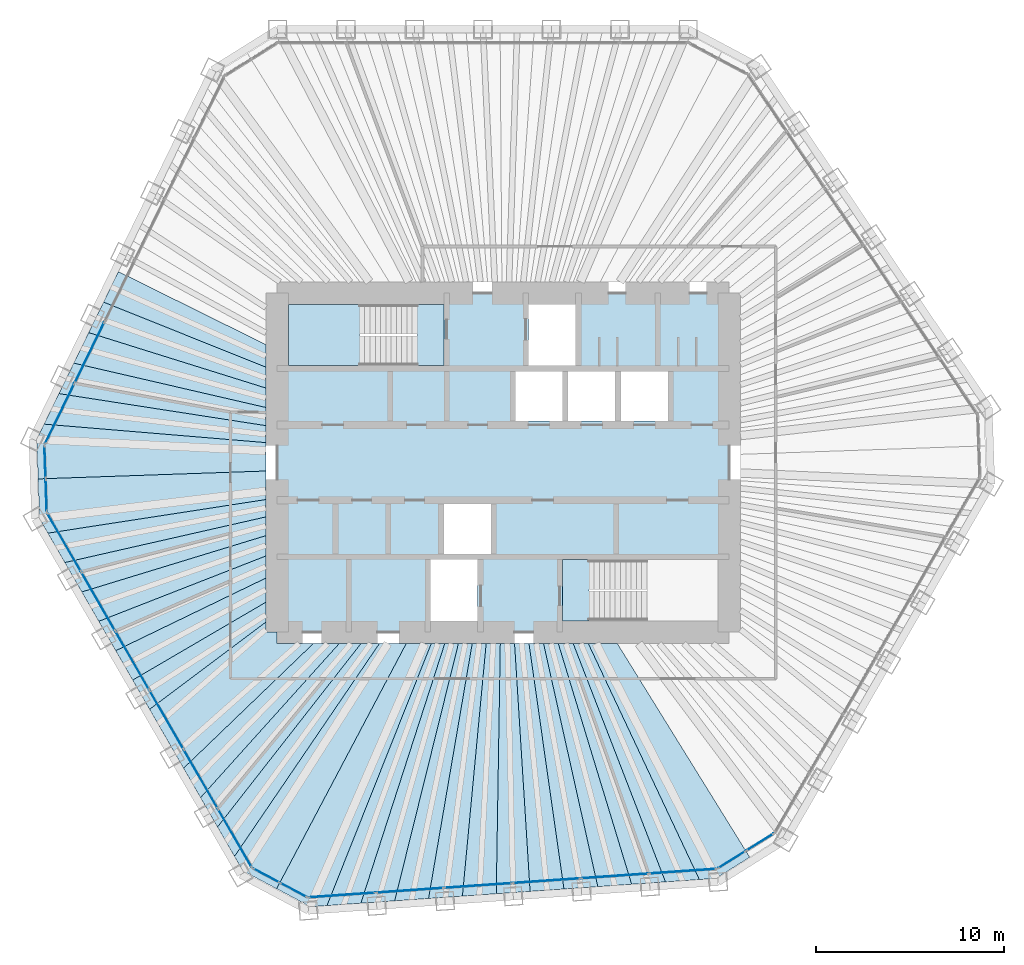
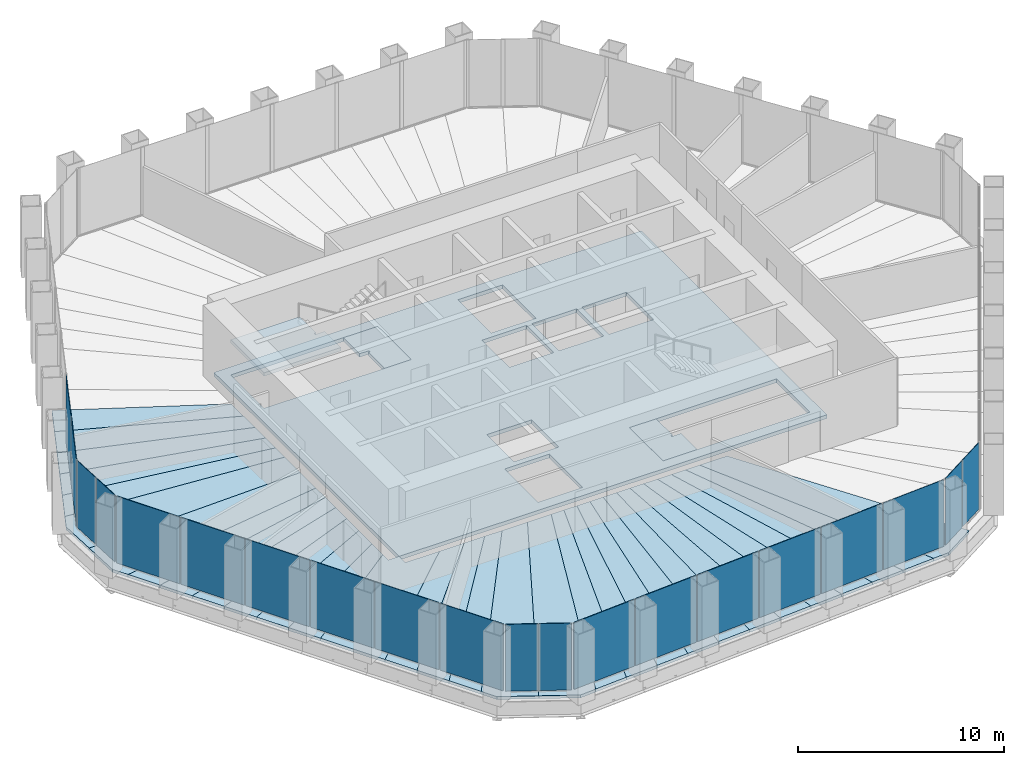
# One storey, part 8 of 13: 35 slabs, 20 plates, 8 elements without a shape of their own.
"""IFC4 building model written with IfcOpenShell, lengths in metres."""

from ifc_helpers import new_model, si_unit, direction, frame, origin, origin_2d, place, context, subcontext, project, spatial, polyline, rectangle, outline, extrude, material, layer, layer_set, type_object, element, aggregate, save


model = new_model("IFC4")

# Units and contexts
model_context = context("Model", 3, precision=1e-05, world=origin(), true_north=direction((0.0, 1.0)))
body_context = subcontext(model_context, "Body", "Model", "MODEL_VIEW")
ifc_project = project(units=[si_unit("LENGTHUNIT", "METRE"), si_unit("AREAUNIT", "SQUARE_METRE"), si_unit("VOLUMEUNIT", "CUBIC_METRE"), si_unit("PLANEANGLEUNIT", "RADIAN"), si_unit("MASSUNIT", "GRAM", prefix="KILO")], contexts=[model_context])

# Site, building, storey
site_placement = place(None, origin())
site = spatial("IfcSite", under=ifc_project, at=site_placement, CompositionType="ELEMENT")
building_placement = place(site_placement, origin())
building = spatial("IfcBuilding", under=site, at=building_placement, Name="Qingtian Harvest Tower", CompositionType="ELEMENT")
storey_placement = place(building_placement, frame((0.0, 0.0, 247.60009765625)))
storey = spatial("IfcBuildingStorey", under=building, at=storey_placement, Name="L54", CompositionType="ELEMENT", Elevation=247.60009765625)

# Slabs
ifc_material_1 = material(Name="Concrete fc' 35 MPa", Category="concrete")
ifc_layer_1 = layer(ifc_material_1, 0.169921875)
ifc_layer_set_1 = layer_set([ifc_layer_1], Name="Composite floor slab FS17 170")
slab_type_1 = type_object("IfcSlabType", Name="Composite floor slab FS17 170", PredefinedType="FLOOR", material=ifc_layer_set_1)
slab_1_placement = place(storey_placement, frame((0.0, 0.0, -0.170166015625)))
element("IfcSlab", 1, at=slab_1_placement, inside=storey, type_object=slab_type_1, Name="Floor slab L54 panel D01", PredefinedType="FLOOR", context=body_context, shape_type="SweptSolid", body=[
    extrude(outline(polyline([(-24.6865234375, -0.862060546875), (-12.60009765625, -0.443115234375), (-12.60009765625, -1.958984375), (-24.17236328125, -3.742431640625), (-24.612548828125, -2.979736328125), (-24.6865234375, -0.862060546875)])), origin(), (0.0, 0.0, 1.0), 0.170166015625),
])
slab_2_placement = place(storey_placement, frame((0.0, 0.0, -0.170166015625)))
element("IfcSlab", 2, at=slab_2_placement, inside=storey, type_object=slab_type_1, Name="Floor slab L54 panel D02", PredefinedType="FLOOR", context=body_context, shape_type="SweptSolid", body=[
    extrude(outline(polyline([(-12.60009765625, -2.880126953125), (-23.271484375, -5.302490234375), (-24.17236328125, -3.742431640625), (-12.60009765625, -1.958984375), (-12.60009765625, -2.880126953125)])), origin(), (0.0, 0.0, 1.0), 0.170166015625),
])
slab_3_placement = place(storey_placement, frame((0.0, 0.0, -0.170166015625)))
element("IfcSlab", 3, at=slab_3_placement, inside=storey, type_object=slab_type_1, Name="Floor slab L54 panel D03", PredefinedType="FLOOR", context=body_context, shape_type="SweptSolid", body=[
    extrude(outline(polyline([(-12.60009765625, -3.87548828125), (-22.370849609375, -6.862548828125), (-23.271484375, -5.302490234375), (-12.60009765625, -2.880126953125), (-12.60009765625, -3.87548828125)])), origin(), (0.0, 0.0, 1.0), 0.170166015625),
])
slab_4_placement = place(storey_placement, frame((0.0, 0.0, -0.170166015625)))
element("IfcSlab", 4, at=slab_4_placement, inside=storey, type_object=slab_type_1, Name="Floor slab L54 panel D04", PredefinedType="FLOOR", context=body_context, shape_type="SweptSolid", body=[
    extrude(outline(polyline([(-12.60009765625, -4.95458984375), (-21.47021484375, -8.422607421875), (-22.370849609375, -6.862548828125), (-12.60009765625, -3.87548828125), (-12.60009765625, -4.95458984375)])), origin(), (0.0, 0.0, 1.0), 0.170166015625),
])
slab_5_placement = place(storey_placement, frame((0.0, 0.0, -0.170166015625)))
element("IfcSlab", 5, at=slab_5_placement, inside=storey, type_object=slab_type_1, Name="Floor slab L54 panel D05", PredefinedType="FLOOR", context=body_context, shape_type="SweptSolid", body=[
    extrude(outline(polyline([(-12.60009765625, -6.128173828125), (-20.569580078125, -9.982666015625), (-21.47021484375, -8.422607421875), (-12.60009765625, -4.95458984375), (-12.60009765625, -6.128173828125)])), origin(), (0.0, 0.0, 1.0), 0.170166015625),
])
slab_6_placement = place(storey_placement, frame((0.0, 0.0, -0.170166015625)))
element("IfcSlab", 6, at=slab_6_placement, inside=storey, type_object=slab_type_1, Name="Floor slab L54 panel D06", PredefinedType="FLOOR", context=body_context, shape_type="SweptSolid", body=[
    extrude(outline(polyline([(-12.60009765625, -7.409423828125), (-19.668701171875, -11.542724609375), (-20.569580078125, -9.982666015625), (-12.60009765625, -6.128173828125), (-12.60009765625, -7.409423828125)])), origin(), (0.0, 0.0, 1.0), 0.170166015625),
])
slab_7_placement = place(storey_placement, frame((0.0, 0.0, -0.170166015625)))
element("IfcSlab", 7, at=slab_7_placement, inside=storey, type_object=slab_type_1, Name="Floor slab L54 panel D07", PredefinedType="FLOOR", context=body_context, shape_type="SweptSolid", body=[
    extrude(outline(polyline([(-12.60009765625, -8.46435546875), (-18.771728515625, -13.0966796875), (-19.668701171875, -11.542724609375), (-12.60009765625, -7.409423828125), (-12.60009765625, -8.46435546875)])), origin(), (0.0, 0.0, 1.0), 0.170166015625),
])
slab_8_placement = place(storey_placement, frame((0.0, 0.0, -0.170166015625)))
element("IfcSlab", 8, at=slab_8_placement, inside=storey, type_object=slab_type_1, Name="Floor slab L54 panel D09", PredefinedType="FLOOR", context=body_context, shape_type="SweptSolid", body=[
    extrude(outline(polyline([(-16.967041015625, -16.22216796875), (-18.771728515625, -13.0966796875), (-12.60009765625, -8.46435546875), (-12.60009765625, -9.0), (-12.0, -9.0), (-12.0, -9.60009765625), (-10.07666015625, -9.60009765625), (-16.967041015625, -16.22216796875)])), origin(), (0.0, 0.0, 1.0), 0.170166015625),
])
slab_9_placement = place(storey_placement, frame((0.0, 0.0, -0.170166015625)))
element("IfcSlab", 9, at=slab_9_placement, inside=storey, type_object=slab_type_1, Name="Floor slab L54 panel D10", PredefinedType="FLOOR", context=body_context, shape_type="SweptSolid", body=[
    extrude(outline(polyline([(-8.700927734375, -9.60009765625), (-16.06640625, -17.7822265625), (-16.967041015625, -16.22216796875), (-10.07666015625, -9.60009765625), (-8.700927734375, -9.60009765625)])), origin(), (0.0, 0.0, 1.0), 0.170166015625),
])
slab_10_placement = place(storey_placement, frame((0.0, 0.0, -0.170166015625)))
element("IfcSlab", 10, at=slab_10_placement, inside=storey, type_object=slab_type_1, Name="Floor slab L54 panel D11", PredefinedType="FLOOR", context=body_context, shape_type="SweptSolid", body=[
    extrude(outline(polyline([(-7.548095703125, -9.60009765625), (-15.16552734375, -19.34228515625), (-16.06640625, -17.7822265625), (-8.700927734375, -9.60009765625), (-7.548095703125, -9.60009765625)])), origin(), (0.0, 0.0, 1.0), 0.170166015625),
])
slab_11_placement = place(storey_placement, frame((0.0, 0.0, -0.170166015625)))
element("IfcSlab", 11, at=slab_11_placement, inside=storey, type_object=slab_type_1, Name="Floor slab L54 panel D12", PredefinedType="FLOOR", context=body_context, shape_type="SweptSolid", body=[
    extrude(outline(polyline([(-6.568359375, -9.60009765625), (-14.264892578125, -20.90234375), (-15.16552734375, -19.34228515625), (-7.548095703125, -9.60009765625), (-6.568359375, -9.60009765625)])), origin(), (0.0, 0.0, 1.0), 0.170166015625),
])
slab_12_placement = place(storey_placement, frame((0.0, 0.0, -0.170166015625)))
element("IfcSlab", 12, at=slab_12_placement, inside=storey, type_object=slab_type_1, Name="Floor slab L54 panel D13", PredefinedType="FLOOR", context=body_context, shape_type="SweptSolid", body=[
    extrude(outline(polyline([(-6.568359375, -9.60009765625), (-5.14501953125, -9.60009765625), (-12.028076171875, -22.620361328125), (-13.82470703125, -21.6650390625), (-14.264892578125, -20.90234375), (-6.568359375, -9.60009765625)])), origin(), (0.0, 0.0, 1.0), 0.170166015625),
])
slab_13_placement = place(storey_placement, frame((0.0, 0.0, -0.170166015625)))
element("IfcSlab", 13, at=slab_13_placement, inside=storey, type_object=slab_type_1, Name="Floor slab L54 panel D14", PredefinedType="FLOOR", context=body_context, shape_type="SweptSolid", body=[
    extrude(outline(polyline([(-5.14501953125, -9.60009765625), (-3.817138671875, -9.60009765625), (-9.352294921875, -23.5146484375), (-10.23046875, -23.576171875), (-12.028076171875, -22.620361328125), (-5.14501953125, -9.60009765625)])), origin(), (0.0, 0.0, 1.0), 0.170166015625),
])
slab_14_placement = place(storey_placement, frame((0.0, 0.0, -0.170166015625)))
element("IfcSlab", 14, at=slab_14_placement, inside=storey, type_object=slab_type_1, Name="Floor slab L54 panel D15", PredefinedType="FLOOR", context=body_context, shape_type="SweptSolid", body=[
    extrude(outline(polyline([(-3.10009765625, -9.60009765625), (-7.55517578125, -23.388916015625), (-9.352294921875, -23.5146484375), (-3.817138671875, -9.60009765625), (-3.10009765625, -9.60009765625)])), origin(), (0.0, 0.0, 1.0), 0.170166015625),
])
slab_15_placement = place(storey_placement, frame((0.0, 0.0, -0.170166015625)))
element("IfcSlab", 15, at=slab_15_placement, inside=storey, type_object=slab_type_1, Name="Floor slab L54 panel D16", PredefinedType="FLOOR", context=body_context, shape_type="SweptSolid", body=[
    extrude(outline(polyline([(-2.375244140625, -9.60009765625), (-5.75830078125, -23.263427734375), (-7.55517578125, -23.388916015625), (-3.10009765625, -9.60009765625), (-2.375244140625, -9.60009765625)])), origin(), (0.0, 0.0, 1.0), 0.170166015625),
])
slab_16_placement = place(storey_placement, frame((0.0, 0.0, -0.170166015625)))
element("IfcSlab", 16, at=slab_16_placement, inside=storey, type_object=slab_type_1, Name="Floor slab L54 panel D17", PredefinedType="FLOOR", context=body_context, shape_type="SweptSolid", body=[
    extrude(outline(polyline([(-1.642578125, -9.60009765625), (-3.96142578125, -23.1376953125), (-5.75830078125, -23.263427734375), (-2.375244140625, -9.60009765625), (-1.642578125, -9.60009765625)])), origin(), (0.0, 0.0, 1.0), 0.170166015625),
])
slab_17_placement = place(storey_placement, frame((0.0, 0.0, -0.170166015625)))
element("IfcSlab", 17, at=slab_17_placement, inside=storey, type_object=slab_type_1, Name="Floor slab L54 panel D18", PredefinedType="FLOOR", context=body_context, shape_type="SweptSolid", body=[
    extrude(outline(polyline([(-0.90185546875, -9.60009765625), (-2.164306640625, -23.011962890625), (-3.96142578125, -23.1376953125), (-1.642578125, -9.60009765625), (-0.90185546875, -9.60009765625)])), origin(), (0.0, 0.0, 1.0), 0.170166015625),
])
slab_18_placement = place(storey_placement, frame((0.0, 0.0, -0.170166015625)))
element("IfcSlab", 18, at=slab_18_placement, inside=storey, type_object=slab_type_1, Name="Floor slab L54 panel D19", PredefinedType="FLOOR", context=body_context, shape_type="SweptSolid", body=[
    extrude(outline(polyline([(-0.153076171875, -9.60009765625), (-0.367431640625, -22.886474609375), (-2.164306640625, -23.011962890625), (-0.90185546875, -9.60009765625), (-0.153076171875, -9.60009765625)])), origin(), (0.0, 0.0, 1.0), 0.170166015625),
])
slab_19_placement = place(storey_placement, frame((0.0, 0.0, -0.170166015625)))
element("IfcSlab", 19, at=slab_19_placement, inside=storey, type_object=slab_type_1, Name="Floor slab L54 panel D20", PredefinedType="FLOOR", context=body_context, shape_type="SweptSolid", body=[
    extrude(outline(polyline([(0.60400390625, -9.60009765625), (1.4296875, -22.7607421875), (-0.367431640625, -22.886474609375), (-0.153076171875, -9.60009765625), (0.60400390625, -9.60009765625)])), origin(), (0.0, 0.0, 1.0), 0.170166015625),
])
slab_20_placement = place(storey_placement, frame((0.0, 0.0, -0.170166015625)))
element("IfcSlab", 20, at=slab_20_placement, inside=storey, type_object=slab_type_1, Name="Floor slab L54 panel D21", PredefinedType="FLOOR", context=body_context, shape_type="SweptSolid", body=[
    extrude(outline(polyline([(1.36962890625, -9.60009765625), (3.2265625, -22.635009765625), (1.4296875, -22.7607421875), (0.60400390625, -9.60009765625), (1.36962890625, -9.60009765625)])), origin(), (0.0, 0.0, 1.0), 0.170166015625),
])
slab_21_placement = place(storey_placement, frame((0.0, 0.0, -0.170166015625)))
element("IfcSlab", 21, at=slab_21_placement, inside=storey, type_object=slab_type_1, Name="Floor slab L54 panel D22", PredefinedType="FLOOR", context=body_context, shape_type="SweptSolid", body=[
    extrude(outline(polyline([(2.1435546875, -9.60009765625), (5.023681640625, -22.509521484375), (3.2265625, -22.635009765625), (1.36962890625, -9.60009765625), (2.1435546875, -9.60009765625)])), origin(), (0.0, 0.0, 1.0), 0.170166015625),
])
slab_22_placement = place(storey_placement, frame((0.0, 0.0, -0.170166015625)))
element("IfcSlab", 22, at=slab_22_placement, inside=storey, type_object=slab_type_1, Name="Floor slab L54 panel D23", PredefinedType="FLOOR", context=body_context, shape_type="SweptSolid", body=[
    extrude(outline(polyline([(2.92626953125, -9.60009765625), (6.820556640625, -22.3837890625), (5.023681640625, -22.509521484375), (2.1435546875, -9.60009765625), (2.92626953125, -9.60009765625)])), origin(), (0.0, 0.0, 1.0), 0.170166015625),
])
slab_23_placement = place(storey_placement, frame((0.0, 0.0, -0.170166015625)))
element("IfcSlab", 23, at=slab_23_placement, inside=storey, type_object=slab_type_1, Name="Floor slab L54 panel D24", PredefinedType="FLOOR", context=body_context, shape_type="SweptSolid", body=[
    extrude(outline(polyline([(3.718017578125, -9.60009765625), (8.61767578125, -22.258056640625), (6.820556640625, -22.3837890625), (2.92626953125, -9.60009765625), (3.718017578125, -9.60009765625)])), origin(), (0.0, 0.0, 1.0), 0.170166015625),
])
slab_24_placement = place(storey_placement, frame((0.0, 0.0, -0.170166015625)))
element("IfcSlab", 24, at=slab_24_placement, inside=storey, type_object=slab_type_1, Name="Floor slab L54 panel D25", PredefinedType="FLOOR", context=body_context, shape_type="SweptSolid", body=[
    extrude(outline(polyline([(4.5185546875, -9.60009765625), (10.41455078125, -22.13232421875), (8.61767578125, -22.258056640625), (3.718017578125, -9.60009765625), (4.5185546875, -9.60009765625)])), origin(), (0.0, 0.0, 1.0), 0.170166015625),
])
slab_25_placement = place(storey_placement, frame((0.0, 0.0, -0.170166015625)))
element("IfcSlab", 25, at=slab_25_placement, inside=storey, type_object=slab_type_1, Name="Floor slab L54 panel D26", PredefinedType="FLOOR", context=body_context, shape_type="SweptSolid", body=[
    extrude(outline(polyline([(4.5185546875, -9.60009765625), (6.059326171875, -9.60009765625), (13.090576171875, -20.94775390625), (11.292724609375, -22.071044921875), (10.41455078125, -22.13232421875), (4.5185546875, -9.60009765625)])), origin(), (0.0, 0.0, 1.0), 0.170166015625),
])
slab_26_placement = place(storey_placement, frame((0.0, 0.0, -0.170166015625)))
element("IfcSlab", 26, at=slab_26_placement, inside=storey, type_object=slab_type_1, Name="Floor slab L54 panel D73", PredefinedType="FLOOR", context=body_context, shape_type="SweptSolid", body=[
    extrude(outline(polyline([(-12.60009765625, 5.072509765625), (-21.2158203125, 8.5234375), (-20.426025390625, 10.142578125), (-12.60009765625, 6.268310546875), (-12.60009765625, 5.072509765625)])), origin(), (0.0, 0.0, 1.0), 0.170166015625),
])
slab_27_placement = place(storey_placement, frame((0.0, 0.0, -0.170166015625)))
element("IfcSlab", 27, at=slab_27_placement, inside=storey, type_object=slab_type_1, Name="Floor slab L54 panel D74", PredefinedType="FLOOR", context=body_context, shape_type="SweptSolid", body=[
    extrude(outline(polyline([(-12.60009765625, 3.962890625), (-22.00537109375, 6.904296875), (-21.2158203125, 8.5234375), (-12.60009765625, 5.072509765625), (-12.60009765625, 3.962890625)])), origin(), (0.0, 0.0, 1.0), 0.170166015625),
])
slab_28_placement = place(storey_placement, frame((0.0, 0.0, -0.170166015625)))
element("IfcSlab", 28, at=slab_28_placement, inside=storey, type_object=slab_type_1, Name="Floor slab L54 panel D75", PredefinedType="FLOOR", context=body_context, shape_type="SweptSolid", body=[
    extrude(outline(polyline([(-12.60009765625, 2.929931640625), (-22.795166015625, 5.28515625), (-22.00537109375, 6.904296875), (-12.60009765625, 3.962890625), (-12.60009765625, 2.929931640625)])), origin(), (0.0, 0.0, 1.0), 0.170166015625),
])
slab_29_placement = place(storey_placement, frame((0.0, 0.0, -0.170166015625)))
element("IfcSlab", 29, at=slab_29_placement, inside=storey, type_object=slab_type_1, Name="Floor slab L54 panel D76", PredefinedType="FLOOR", context=body_context, shape_type="SweptSolid", body=[
    extrude(outline(polyline([(-12.60009765625, 1.96630859375), (-23.584716796875, 3.666259765625), (-22.795166015625, 5.28515625), (-12.60009765625, 2.929931640625), (-12.60009765625, 1.96630859375)])), origin(), (0.0, 0.0, 1.0), 0.170166015625),
])
slab_30_placement = place(storey_placement, frame((0.0, 0.0, -0.170166015625)))
element("IfcSlab", 30, at=slab_30_placement, inside=storey, type_object=slab_type_1, Name="Floor slab L54 panel D77", PredefinedType="FLOOR", context=body_context, shape_type="SweptSolid", body=[
    extrude(outline(polyline([(-12.60009765625, 1.065185546875), (-24.37451171875, 2.047119140625), (-23.584716796875, 3.666259765625), (-12.60009765625, 1.96630859375), (-12.60009765625, 1.065185546875)])), origin(), (0.0, 0.0, 1.0), 0.170166015625),
])
slab_31_placement = place(storey_placement, frame((0.0, 0.0, -0.170166015625)))
element("IfcSlab", 31, at=slab_31_placement, inside=storey, type_object=slab_type_1, Name="Floor slab L54 panel D78", PredefinedType="FLOOR", context=body_context, shape_type="SweptSolid", body=[
    extrude(outline(polyline([(-12.60009765625, 1.065185546875), (-12.60009765625, -0.443115234375), (-24.6865234375, -0.862060546875), (-24.760498046875, 1.255615234375), (-24.37451171875, 2.047119140625), (-12.60009765625, 1.065185546875)])), origin(), (0.0, 0.0, 1.0), 0.170166015625),
])
ifc_material_2 = material(Name="Concrete fc' 35 MPa", Category="concrete")
ifc_layer_2 = layer(ifc_material_2, 0.219970703125)
ifc_layer_set_2 = layer_set([ifc_layer_2], Name="Core floor slab CS22 220")
slab_type_2 = type_object("IfcSlabType", Name="Core floor slab CS22 220", PredefinedType="FLOOR", material=ifc_layer_set_2)
slab_32_placement = place(storey_placement, frame((0.0, 0.0, -0.22021484375)))
element("IfcSlab", 32, at=slab_32_placement, inside=storey, type_object=slab_type_2, Name="Core floor slab L54", PredefinedType="FLOOR", context=body_context, shape_type="SweptSolid", body=[
    extrude(outline(polyline([(-12.0, -9.0), (12.0, -9.0), (12.0, 9.0), (-12.0, 9.0), (-12.0, -9.0)]), holes=[polyline([(-11.39990234375, 5.14990234375), (-3.14990234375, 5.14990234375), (-3.14990234375, 8.39990234375), (-11.39990234375, 8.39990234375), (-11.39990234375, 5.14990234375)]), polyline([(3.14990234375, -8.39990234375), (11.39990234375, -8.39990234375), (11.39990234375, -5.14990234375), (3.14990234375, -5.14990234375), (3.14990234375, -8.39990234375)]), polyline([(1.35009765625, 5.14990234375), (3.85009765625, 5.14990234375), (3.85009765625, 8.39990234375), (1.35009765625, 8.39990234375), (1.35009765625, 5.14990234375)]), polyline([(-3.85009765625, -8.39990234375), (-1.35009765625, -8.39990234375), (-1.35009765625, -5.14990234375), (-3.85009765625, -5.14990234375), (-3.85009765625, -8.39990234375)]), polyline([(0.64990234375, 2.199951171875), (3.14990234375, 2.199951171875), (3.14990234375, 4.85009765625), (0.64990234375, 4.85009765625), (0.64990234375, 2.199951171875)]), polyline([(3.449951171875, 2.199951171875), (5.949951171875, 2.199951171875), (5.949951171875, 4.85009765625), (3.449951171875, 4.85009765625), (3.449951171875, 2.199951171875)]), polyline([(6.25, 2.199951171875), (8.75, 2.199951171875), (8.75, 4.85009765625), (6.25, 4.85009765625), (6.25, 2.199951171875)]), polyline([(-3.14990234375, -4.85009765625), (-0.64990234375, -4.85009765625), (-0.64990234375, -2.199951171875), (-3.14990234375, -2.199951171875), (-3.14990234375, -4.85009765625)])]), origin(), (0.0, 0.0, 1.0), 0.22021484375),
])

# Curtain wall, plates
ifc_material_3 = material(Name="Bronze-anodised aluminium curtain wall", Category="aluminium")
curtain_wall_type = type_object("IfcCurtainWallType", Name="Curtain wall CW4 office", PredefinedType="USERDEFINED", material=ifc_material_3)
curtain_wall_1_placement = place(storey_placement, origin())
curtain_wall_1 = element("IfcCurtainWall", 33, at=curtain_wall_1_placement, inside=storey, type_object=curtain_wall_type, Name="Curtain wall CW4 L54 SEC", ObjectType="RECESSED CURTAIN WALL", PredefinedType="USERDEFINED")
ifc_material_4 = material(Name="Bronze-tinted laminated insulating glass", Category="glass")
ifc_layer_3 = layer(ifc_material_4, 0.030029296875)
ifc_layer_set_3 = layer_set([ifc_layer_3], Name="Glazed panel CWP tinted IGU")
plate_type = type_object("IfcPlateType", Name="Glazed panel CWP tinted IGU", PredefinedType="CURTAIN_PANEL", material=ifc_layer_set_3)
plate_1_placement = place(storey_placement, frame((13.624755859375, -20.1455078125, 0.06494140625), z_axis=(0.0, 0.0, 1.0), x_axis=(-0.848048096156, -0.529919264233, 0.0)))
plate_1 = element("IfcPlate", 34, at=plate_1_placement, type_object=plate_type, Name="CW4 panel 1.1", PredefinedType="CURTAIN_PANEL", context=body_context, shape_type="SweptSolid", body=[
    extrude(rectangle(XDim=1.69287109375, YDim=0.030029296875, at=origin_2d()), origin(), (0.0, 0.0, 1.0), 3.965087890625),
])
plate_2_placement = place(storey_placement, frame((12.134033203125, -21.076904296875, 0.06494140625), z_axis=(0.0, 0.0, 1.0), x_axis=(-0.848048096156, -0.529919264233, 0.0)))
plate_2 = element("IfcPlate", 35, at=plate_2_placement, type_object=plate_type, Name="CW4 panel 2.1", PredefinedType="CURTAIN_PANEL", context=body_context, shape_type="SweptSolid", body=[
    extrude(rectangle(XDim=1.69287109375, YDim=0.030029296875, at=origin_2d()), origin(), (0.0, 0.0, 1.0), 3.965087890625),
])
aggregate(curtain_wall_1, [plate_1, plate_2])

curtain_wall_2_placement = place(storey_placement, origin())
curtain_wall_2 = element("IfcCurtainWall", 36, at=curtain_wall_2_placement, inside=storey, type_object=curtain_wall_type, Name="Curtain wall CW4 L54 S0-5", ObjectType="RECESSED CURTAIN WALL", PredefinedType="USERDEFINED")
plate_3_placement = place(storey_placement, frame((9.532470703125, -21.68798828125, 0.06494140625), z_axis=(0.0, 0.0, 1.0), x_axis=(-0.99756405026, -0.069756473744, 0.0)))
plate_3 = element("IfcPlate", 37, at=plate_3_placement, type_object=plate_type, Name="CW4 panel 1.1", PredefinedType="CURTAIN_PANEL", context=body_context, shape_type="SweptSolid", body=[
    extrude(rectangle(XDim=3.5361328125, YDim=0.030029296875, at=origin_2d()), origin(), (0.0, 0.0, 1.0), 3.965087890625),
])
plate_4_placement = place(storey_placement, frame((5.923828125, -21.940185546875, 0.06494140625), z_axis=(0.0, 0.0, 1.0), x_axis=(-0.99756405026, -0.069756473744, 0.0)))
plate_4 = element("IfcPlate", 38, at=plate_4_placement, type_object=plate_type, Name="CW4 panel 2.1", PredefinedType="CURTAIN_PANEL", context=body_context, shape_type="SweptSolid", body=[
    extrude(rectangle(XDim=3.568603515625, YDim=0.030029296875, at=origin_2d()), origin(), (0.0, 0.0, 1.0), 3.965087890625),
])
plate_5_placement = place(storey_placement, frame((2.299072265625, -22.193603515625, 0.06494140625), z_axis=(0.0, 0.0, 1.0), x_axis=(-0.99756405026, -0.069756473744, 0.0)))
plate_5 = element("IfcPlate", 39, at=plate_5_placement, type_object=plate_type, Name="CW4 panel 3.1", PredefinedType="CURTAIN_PANEL", context=body_context, shape_type="SweptSolid", body=[
    extrude(rectangle(XDim=3.568603515625, YDim=0.030029296875, at=origin_2d()), origin(), (0.0, 0.0, 1.0), 3.965087890625),
])
plate_6_placement = place(storey_placement, frame((-1.325439453125, -22.447021484375, 0.06494140625), z_axis=(0.0, 0.0, 1.0), x_axis=(-0.99756405026, -0.069756473744, 0.0)))
plate_6 = element("IfcPlate", 40, at=plate_6_placement, type_object=plate_type, Name="CW4 panel 4.1", PredefinedType="CURTAIN_PANEL", context=body_context, shape_type="SweptSolid", body=[
    extrude(rectangle(XDim=3.568603515625, YDim=0.030029296875, at=origin_2d()), origin(), (0.0, 0.0, 1.0), 3.965087890625),
])
plate_7_placement = place(storey_placement, frame((-4.9501953125, -22.70068359375, 0.06494140625), z_axis=(0.0, 0.0, 1.0), x_axis=(-0.99756405026, -0.069756473744, 0.0)))
plate_7 = element("IfcPlate", 41, at=plate_7_placement, type_object=plate_type, Name="CW4 panel 5.1", PredefinedType="CURTAIN_PANEL", context=body_context, shape_type="SweptSolid", body=[
    extrude(rectangle(XDim=3.568603515625, YDim=0.030029296875, at=origin_2d()), origin(), (0.0, 0.0, 1.0), 3.965087890625),
])
plate_8_placement = place(storey_placement, frame((-8.55859375, -22.952880859375, 0.06494140625), z_axis=(0.0, 0.0, 1.0), x_axis=(-0.99756405026, -0.069756473744, 0.0)))
plate_8 = element("IfcPlate", 42, at=plate_8_placement, type_object=plate_type, Name="CW4 panel 6.1", PredefinedType="CURTAIN_PANEL", context=body_context, shape_type="SweptSolid", body=[
    extrude(rectangle(XDim=3.5361328125, YDim=0.030029296875, at=origin_2d()), origin(), (0.0, 0.0, 1.0), 3.965087890625),
])
aggregate(curtain_wall_2, [plate_3, plate_4, plate_5, plate_6, plate_7, plate_8])

curtain_wall_3_placement = place(storey_placement, origin())
curtain_wall_3 = element("IfcCurtainWall", 43, at=curtain_wall_3_placement, inside=storey, type_object=curtain_wall_type, Name="Curtain wall CW4 L54 SC", ObjectType="RECESSED CURTAIN WALL", PredefinedType="USERDEFINED")
plate_9_placement = place(storey_placement, frame((-11.136474609375, -22.682373046875, 0.06494140625), z_axis=(0.0, 0.0, 1.0), x_axis=(-0.882947592859, 0.469471562786, 0.0)))
plate_9 = element("IfcPlate", 44, at=plate_9_placement, type_object=plate_type, Name="CW4 panel 1.1", PredefinedType="CURTAIN_PANEL", context=body_context, shape_type="SweptSolid", body=[
    extrude(rectangle(XDim=1.56689453125, YDim=0.030029296875, at=origin_2d()), origin(), (0.0, 0.0, 1.0), 3.965087890625),
])
plate_10_placement = place(storey_placement, frame((-12.5771484375, -21.916259765625, 0.06494140625), z_axis=(0.0, 0.0, 1.0), x_axis=(-0.882947592859, 0.469471562786, 0.0)))
plate_10 = element("IfcPlate", 45, at=plate_10_placement, type_object=plate_type, Name="CW4 panel 2.1", PredefinedType="CURTAIN_PANEL", context=body_context, shape_type="SweptSolid", body=[
    extrude(rectangle(XDim=1.56689453125, YDim=0.030029296875, at=origin_2d()), origin(), (0.0, 0.0, 1.0), 3.965087890625),
])
aggregate(curtain_wall_3, [plate_9, plate_10])

curtain_wall_4_placement = place(storey_placement, origin())
curtain_wall_4 = element("IfcCurtainWall", 46, at=curtain_wall_4_placement, inside=storey, type_object=curtain_wall_type, Name="Curtain wall CW4 L54 SW0-5", ObjectType="RECESSED CURTAIN WALL", PredefinedType="USERDEFINED")
plate_11_placement = place(storey_placement, frame((-14.242919921875, -19.9306640625, 0.06494140625), z_axis=(0.0, 0.0, 1.0), x_axis=(-0.5, 0.866025403784, 0.0)))
plate_11 = element("IfcPlate", 47, at=plate_11_placement, type_object=plate_type, Name="CW4 panel 1.1", PredefinedType="CURTAIN_PANEL", context=body_context, shape_type="SweptSolid", body=[
    extrude(rectangle(XDim=3.5361328125, YDim=0.030029296875, at=origin_2d()), origin(), (0.0, 0.0, 1.0), 3.965087890625),
])
plate_12_placement = place(storey_placement, frame((-16.051513671875, -16.7978515625, 0.06494140625), z_axis=(0.0, 0.0, 1.0), x_axis=(-0.5, 0.866025403784, 0.0)))
plate_12 = element("IfcPlate", 48, at=plate_12_placement, type_object=plate_type, Name="CW4 panel 2.1", PredefinedType="CURTAIN_PANEL", context=body_context, shape_type="SweptSolid", body=[
    extrude(rectangle(XDim=3.568603515625, YDim=0.030029296875, at=origin_2d()), origin(), (0.0, 0.0, 1.0), 3.965087890625),
])
plate_13_placement = place(storey_placement, frame((-17.868408203125, -13.651123046875, 0.06494140625), z_axis=(0.0, 0.0, 1.0), x_axis=(-0.5, 0.866025403784, 0.0)))
plate_13 = element("IfcPlate", 49, at=plate_13_placement, type_object=plate_type, Name="CW4 panel 3.1", PredefinedType="CURTAIN_PANEL", context=body_context, shape_type="SweptSolid", body=[
    extrude(rectangle(XDim=3.568603515625, YDim=0.030029296875, at=origin_2d()), origin(), (0.0, 0.0, 1.0), 3.965087890625),
])
plate_14_placement = place(storey_placement, frame((-19.68505859375, -10.50439453125, 0.06494140625), z_axis=(0.0, 0.0, 1.0), x_axis=(-0.5, 0.866025403784, 0.0)))
plate_14 = element("IfcPlate", 50, at=plate_14_placement, type_object=plate_type, Name="CW4 panel 4.1", PredefinedType="CURTAIN_PANEL", context=body_context, shape_type="SweptSolid", body=[
    extrude(rectangle(XDim=3.568603515625, YDim=0.030029296875, at=origin_2d()), origin(), (0.0, 0.0, 1.0), 3.965087890625),
])
plate_15_placement = place(storey_placement, frame((-21.501953125, -7.357666015625, 0.06494140625), z_axis=(0.0, 0.0, 1.0), x_axis=(-0.5, 0.866025403784, 0.0)))
plate_15 = element("IfcPlate", 51, at=plate_15_placement, type_object=plate_type, Name="CW4 panel 5.1", PredefinedType="CURTAIN_PANEL", context=body_context, shape_type="SweptSolid", body=[
    extrude(rectangle(XDim=3.568603515625, YDim=0.030029296875, at=origin_2d()), origin(), (0.0, 0.0, 1.0), 3.965087890625),
])
plate_16_placement = place(storey_placement, frame((-23.310546875, -4.22509765625, 0.06494140625), z_axis=(0.0, 0.0, 1.0), x_axis=(-0.5, 0.866025403784, 0.0)))
plate_16 = element("IfcPlate", 52, at=plate_16_placement, type_object=plate_type, Name="CW4 panel 6.1", PredefinedType="CURTAIN_PANEL", context=body_context, shape_type="SweptSolid", body=[
    extrude(rectangle(XDim=3.5361328125, YDim=0.030029296875, at=origin_2d()), origin(), (0.0, 0.0, 1.0), 3.965087890625),
])
aggregate(curtain_wall_4, [plate_11, plate_12, plate_13, plate_14, plate_15, plate_16])

curtain_wall_5_placement = place(storey_placement, origin())
curtain_wall_5 = element("IfcCurtainWall", 53, at=curtain_wall_5_placement, inside=storey, type_object=curtain_wall_type, Name="Curtain wall CW4 L54 SWC", ObjectType="RECESSED CURTAIN WALL", PredefinedType="USERDEFINED")
plate_17_placement = place(storey_placement, frame((-24.2587890625, -1.7265625, 0.06494140625), z_axis=(0.0, 0.0, 1.0), x_axis=(-0.034899496703, 0.999390827019, 0.0)))
plate_17 = element("IfcPlate", 54, at=plate_17_placement, type_object=plate_type, Name="CW4 panel 1.1", PredefinedType="CURTAIN_PANEL", context=body_context, shape_type="SweptSolid", body=[
    extrude(rectangle(XDim=1.69287109375, YDim=0.030029296875, at=origin_2d()), origin(), (0.0, 0.0, 1.0), 3.965087890625),
])
plate_18_placement = place(storey_placement, frame((-24.320068359375, 0.0302734375, 0.06494140625), z_axis=(0.0, 0.0, 1.0), x_axis=(-0.034899496703, 0.999390827019, 0.0)))
plate_18 = element("IfcPlate", 55, at=plate_18_placement, type_object=plate_type, Name="CW4 panel 2.1", PredefinedType="CURTAIN_PANEL", context=body_context, shape_type="SweptSolid", body=[
    extrude(rectangle(XDim=1.69287109375, YDim=0.030029296875, at=origin_2d()), origin(), (0.0, 0.0, 1.0), 3.965087890625),
])
aggregate(curtain_wall_5, [plate_17, plate_18])

curtain_wall_6_placement = place(storey_placement, origin())
curtain_wall_6 = element("IfcCurtainWall", 56, at=curtain_wall_6_placement, inside=storey, type_object=curtain_wall_type, Name="Curtain wall CW4 L54 NW0-5", ObjectType="RECESSED CURTAIN WALL", PredefinedType="USERDEFINED")
plate_19_placement = place(storey_placement, frame((-23.54833984375, 2.588623046875, 0.06494140625), z_axis=(0.0, 0.0, 1.0), x_axis=(0.438371146789, 0.898794046299, 0.0)))
plate_19 = element("IfcPlate", 57, at=plate_19_placement, type_object=plate_type, Name="CW4 panel 1.1", PredefinedType="CURTAIN_PANEL", context=body_context, shape_type="SweptSolid", body=[
    extrude(rectangle(XDim=3.5361328125, YDim=0.030029296875, at=origin_2d()), origin(), (0.0, 0.0, 1.0), 3.965087890625),
])
plate_20_placement = place(storey_placement, frame((-21.962646484375, 5.83984375, 0.06494140625), z_axis=(0.0, 0.0, 1.0), x_axis=(0.438371146789, 0.898794046299, 0.0)))
plate_20 = element("IfcPlate", 58, at=plate_20_placement, type_object=plate_type, Name="CW4 panel 2.1", PredefinedType="CURTAIN_PANEL", context=body_context, shape_type="SweptSolid", body=[
    extrude(rectangle(XDim=3.568603515625, YDim=0.030029296875, at=origin_2d()), origin(), (0.0, 0.0, 1.0), 3.965087890625),
])
aggregate(curtain_wall_6, [plate_19, plate_20])

# Stair, slabs
ifc_material_5 = material(Name="Concrete fc' 35 MPa", Category="concrete")
stair_type = type_object("IfcStairType", Name="Special stair ST4 4200", PredefinedType="HALF_TURN_STAIR", material=ifc_material_5)
stair_1_placement = place(storey_placement, origin())
stair_1 = element("IfcStair", 59, at=stair_1_placement, inside=storey, type_object=stair_type, Name="Special stair S1 L54", PredefinedType="HALF_TURN_STAIR")
ifc_material_6 = material(Name="Concrete fc' 35 MPa", Category="concrete")
ifc_layer_4 = layer(ifc_material_6, 0.199951171875)
ifc_layer_set_4 = layer_set([ifc_layer_4], Name="Stair landing SL2 200")
slab_type_3 = type_object("IfcSlabType", Name="Stair landing SL2 200", PredefinedType="LANDING", material=ifc_layer_set_4)
slab_33_placement = place(storey_placement, frame((0.0, 0.0, -0.2001953125)))
slab_33 = element("IfcSlab", 60, at=slab_33_placement, type_object=slab_type_3, Name="S1 landing 1", PredefinedType="LANDING", context=body_context, shape_type="SweptSolid", body=[
    extrude(outline(polyline([(-4.64990234375, 5.14990234375), (-4.64990234375, 6.72509765625), (-4.550048828125, 6.72509765625), (-4.550048828125, 6.824951171875), (-5.0849609375, 6.824951171875), (-5.0849609375, 8.39990234375), (-3.14990234375, 8.39990234375), (-3.14990234375, 5.14990234375), (-4.64990234375, 5.14990234375)])), origin(), (0.0, 0.0, 1.0), 0.2001953125),
])
slab_34_placement = place(storey_placement, frame((0.0, 0.0, 1.89990234375)))
slab_34 = element("IfcSlab", 61, at=slab_34_placement, type_object=slab_type_3, Name="S1 landing 2", PredefinedType="LANDING", context=body_context, shape_type="SweptSolid", body=[
    extrude(outline(polyline([(-7.094970703125, 5.14990234375), (-11.39990234375, 5.14990234375), (-11.39990234375, 8.39990234375), (-7.530029296875, 8.39990234375), (-7.530029296875, 6.824951171875), (-7.6298828125, 6.824951171875), (-7.6298828125, 6.72509765625), (-7.094970703125, 6.72509765625), (-7.094970703125, 5.14990234375)])), origin(), (0.0, 0.0, 1.0), 0.199951171875),
])
aggregate(stair_1, [slab_33, slab_34])

# Stair, slab
stair_2_placement = place(storey_placement, origin())
stair_2 = element("IfcStair", 62, at=stair_2_placement, inside=storey, type_object=stair_type, Name="Special stair S2 L54", PredefinedType="HALF_TURN_STAIR")
slab_35_placement = place(storey_placement, frame((0.0, 0.0, -0.2001953125)))
slab_35 = element("IfcSlab", 63, at=slab_35_placement, type_object=slab_type_3, Name="S2 landing 1", PredefinedType="LANDING", context=body_context, shape_type="SweptSolid", body=[
    extrude(outline(polyline([(5.0849609375, -8.39990234375), (3.14990234375, -8.39990234375), (3.14990234375, -5.14990234375), (4.64990234375, -5.14990234375), (4.64990234375, -6.72509765625), (4.550048828125, -6.72509765625), (4.550048828125, -6.824951171875), (5.0849609375, -6.824951171875), (5.0849609375, -8.39990234375)])), origin(), (0.0, 0.0, 1.0), 0.2001953125),
])
aggregate(stair_2, [slab_35])

save(model, "model.ifc")
